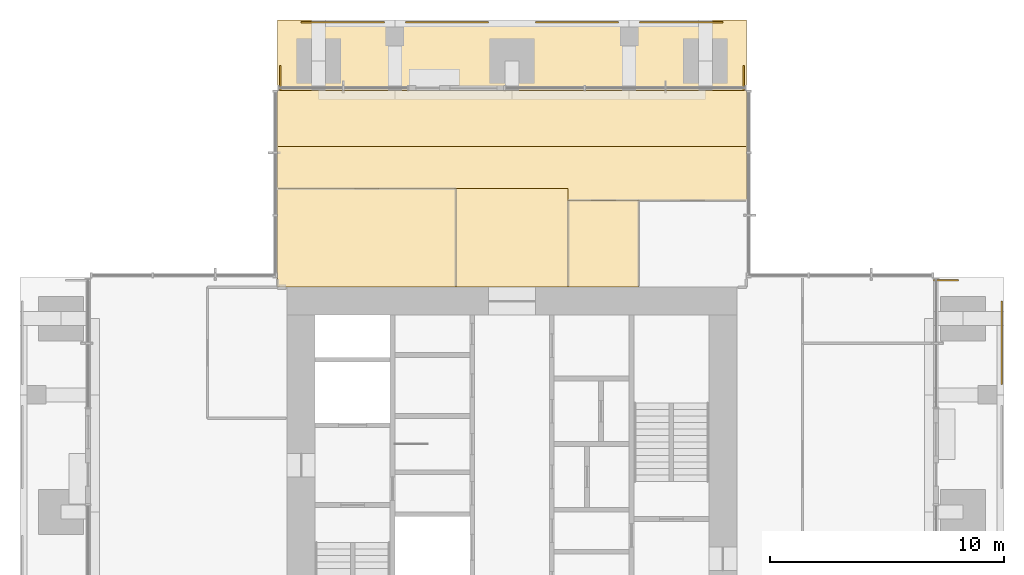
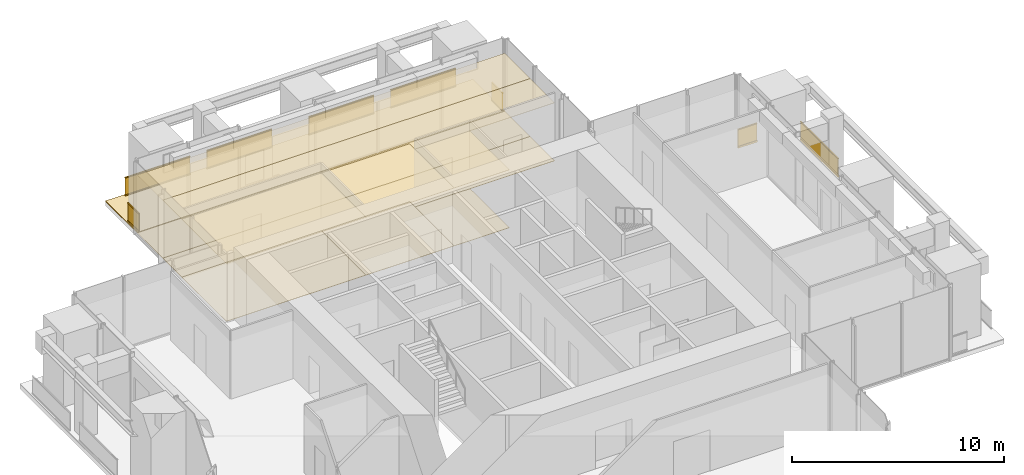
# One storey, part 11 of 12: 11 coverings, 8 railings.
"""IFC4 building model written with IfcOpenShell, lengths in metres."""

from ifc_helpers import new_model, si_unit, direction, frame, origin, origin_2d, place, context, subcontext, project, spatial, polyline, rectangle, outline, extrude, material, layer, layer_set, type_object, element, save


model = new_model("IFC4")

# Units and contexts
model_context = context("Model", 3, precision=1e-05, world=origin(), true_north=direction((0.0, 1.0)))
body_context = subcontext(model_context, "Body", "Model", "MODEL_VIEW")
ifc_project = project(units=[si_unit("LENGTHUNIT", "METRE"), si_unit("AREAUNIT", "SQUARE_METRE"), si_unit("VOLUMEUNIT", "CUBIC_METRE"), si_unit("PLANEANGLEUNIT", "RADIAN"), si_unit("MASSUNIT", "GRAM", prefix="KILO")], contexts=[model_context])

# Site, building, storey
site_placement = place(None, origin())
site = spatial("IfcSite", under=ifc_project, at=site_placement, CompositionType="ELEMENT")
building_placement = place(site_placement, origin())
building = spatial("IfcBuilding", under=site, at=building_placement, Name="Svetlomir Tower", CompositionType="ELEMENT")
storey_placement = place(building_placement, frame((0.0, 0.0, 265.0)))
storey = spatial("IfcBuildingStorey", under=building, at=storey_placement, Name="L63", CompositionType="ELEMENT", Elevation=265.0)

# Railings
ifc_material_1 = material(Name="Bronze anodised aluminium and laminated glass", Category="aluminium")
railing_type = type_object("IfcRailingType", Name="BALCONY GUARD GR1 1100", PredefinedType="GUARDRAIL", material=ifc_material_1)
railing_1_placement = place(storey_placement, frame((41.89990234375, 26.449951171875, 0.0)))
element("IfcRailing", 1, at=railing_1_placement, inside=storey, type_object=railing_type, Name="Loggia guard E L63 bay 4", PredefinedType="GUARDRAIL", context=body_context, shape_type="SweptSolid", body=[
    extrude(rectangle(XDim=0.06005859375, YDim=0.10009765625, at=origin_2d()), frame((0.0, 0.0, 0.050048828125), z_axis=(0.0, 1.0, 0.0), x_axis=(-1.0, 0.0, 0.0)), (0.0, 0.0, 1.0), 3.550048828125),
    extrude(rectangle(XDim=0.021484375, YDim=0.960205078125, at=origin_2d()), frame((0.0, 0.0, 0.580078125), z_axis=(0.0, 1.0, 0.0), x_axis=(-1.0, 0.0, 0.0)), (0.0, 0.0, 1.0), 3.550048828125),
    extrude(rectangle(XDim=0.06005859375, YDim=0.0400390625, at=origin_2d()), frame((0.0, 0.0, 1.080078125), z_axis=(0.0, 1.0, 0.0), x_axis=(-1.0, 0.0, 0.0)), (0.0, 0.0, 1.0), 3.550048828125),
])
railing_2_placement = place(storey_placement, frame((40.050048828125, 30.89990234375, 0.0)))
element("IfcRailing", 2, at=railing_2_placement, inside=storey, type_object=railing_type, Name="Loggia guard E L63 end 2", PredefinedType="GUARDRAIL", context=body_context, shape_type="SweptSolid", body=[
    extrude(rectangle(XDim=0.06005859375, YDim=0.10009765625, at=origin_2d()), frame((0.0, 0.0, 0.050048828125), z_axis=(-1.0, 0.0, 0.0), x_axis=(0.0, -1.0, 0.0)), (0.0, 0.0, 1.0), 1.050048828125),
    extrude(rectangle(XDim=0.021484375, YDim=0.960205078125, at=origin_2d()), frame((0.0, 0.0, 0.580078125), z_axis=(-1.0, 0.0, 0.0), x_axis=(0.0, -1.0, 0.0)), (0.0, 0.0, 1.0), 1.050048828125),
    extrude(rectangle(XDim=0.06005859375, YDim=0.0400390625, at=origin_2d()), frame((0.0, 0.0, 1.080078125), z_axis=(-1.0, 0.0, 0.0), x_axis=(0.0, -1.0, 0.0)), (0.0, 0.0, 1.0), 1.050048828125),
])
for number, where, name in (
    (3, (12.0, 41.89990234375, 0.0), "Loggia guard N L63 bay 1"),
    (4, (16.449951171875, 41.89990234375, 0.0), "Loggia guard N L63 bay 2"),
    (5, (22.0, 41.89990234375, 0.0), "Loggia guard N L63 bay 3"),
    (6, (26.449951171875, 41.89990234375, 0.0), "Loggia guard N L63 bay 4"),
):
    element("IfcRailing", number, at=place(storey_placement, frame(where)), inside=storey, type_object=railing_type, Name=name, PredefinedType="GUARDRAIL", context=body_context, shape_type="SweptSolid", body=[
        extrude(rectangle(XDim=0.06005859375, YDim=0.10009765625, at=origin_2d()), frame((0.0, 0.0, 0.050048828125), z_axis=(1.0, 0.0, 0.0), x_axis=(0.0, 1.0, 0.0)), (0.0, 0.0, 1.0), 3.550048828125),
        extrude(rectangle(XDim=0.021484375, YDim=0.960205078125, at=origin_2d()), frame((0.0, 0.0, 0.580078125), z_axis=(1.0, 0.0, 0.0), x_axis=(0.0, 1.0, 0.0)), (0.0, 0.0, 1.0), 3.550048828125),
        extrude(rectangle(XDim=0.06005859375, YDim=0.0400390625, at=origin_2d()), frame((0.0, 0.0, 1.080078125), z_axis=(1.0, 0.0, 0.0), x_axis=(0.0, 1.0, 0.0)), (0.0, 0.0, 1.0), 3.550048828125),
    ])
for number, where, name in (
    (7, (11.10009765625, 40.050048828125, 0.0), "Loggia guard N L63 end 1"),
    (8, (30.89990234375, 40.050048828125, 0.0), "Loggia guard N L63 end 2"),
):
    element("IfcRailing", number, at=place(storey_placement, frame(where)), inside=storey, type_object=railing_type, Name=name, PredefinedType="GUARDRAIL", context=body_context, shape_type="SweptSolid", body=[
        extrude(rectangle(XDim=0.06005859375, YDim=0.10009765625, at=origin_2d()), frame((0.0, 0.0, 0.050048828125), z_axis=(0.0, -1.0, 0.0), x_axis=(1.0, 0.0, 0.0)), (0.0, 0.0, 1.0), 1.050048828125),
        extrude(rectangle(XDim=0.021484375, YDim=0.960205078125, at=origin_2d()), frame((0.0, 0.0, 0.580078125), z_axis=(0.0, -1.0, 0.0), x_axis=(1.0, 0.0, 0.0)), (0.0, 0.0, 1.0), 1.050048828125),
        extrude(rectangle(XDim=0.06005859375, YDim=0.0400390625, at=origin_2d()), frame((0.0, 0.0, 1.080078125), z_axis=(0.0, -1.0, 0.0), x_axis=(1.0, 0.0, 0.0)), (0.0, 0.0, 1.0), 1.050048828125),
    ])

# Coverings
ifc_material_2 = material(Name="Granite paving slabs on pedestals", Category="masonry")
ifc_layer_1 = layer(ifc_material_2, 0.0400390625)
ifc_layer_set_1 = layer_set([ifc_layer_1], Name="Granite paving slabs on pedestals")
covering_type_1 = type_object("IfcCoveringType", Name="BALCONY PAVING 40", PredefinedType="USERDEFINED", material=ifc_layer_set_1)
covering_1_placement = place(storey_placement, origin())
element("IfcCovering", 9, at=covering_1_placement, inside=storey, type_object=covering_type_1, Name="Loggia paving N L63", ObjectType="BALCONY PAVING", PredefinedType="USERDEFINED", context=body_context, shape_type="SweptSolid", body=[
    extrude(outline(polyline([(11.0, 39.0), (31.0, 39.0), (31.0, 42.0), (11.0, 42.0), (11.0, 39.0)])), origin(), (0.0, 0.0, 1.0), 0.0400390625),
])
ifc_material_3 = material(Name="Engineered oak floor", Category="wood")
ifc_layer_2 = layer(ifc_material_3, 0.02001953125)
ifc_layer_set_2 = layer_set([ifc_layer_2], Name="Engineered oak floor")
covering_type_2 = type_object("IfcCoveringType", Name="OAK FLOOR 20", PredefinedType="FLOORING", material=ifc_layer_set_2)
covering_2_placement = place(storey_placement, origin())
element("IfcCovering", 10, at=covering_2_placement, inside=storey, type_object=covering_type_2, Name="Floor finish L63-23", PredefinedType="FLOORING", context=body_context, shape_type="SweptSolid", body=[
    extrude(outline(polyline([(11.0, 30.60009765625), (18.60009765625, 30.60009765625), (18.60009765625, 34.800048828125), (11.0, 34.800048828125), (11.0, 30.60009765625)])), origin(), (0.0, 0.0, 1.0), 0.02001953125),
])
covering_3_placement = place(storey_placement, origin())
element("IfcCovering", 11, at=covering_3_placement, inside=storey, type_object=covering_type_2, Name="Floor finish L63-24", PredefinedType="FLOORING", context=body_context, shape_type="SweptSolid", body=[
    extrude(outline(polyline([(23.39990234375, 30.60009765625), (26.39990234375, 30.60009765625), (26.39990234375, 34.300048828125), (23.39990234375, 34.300048828125), (23.39990234375, 30.60009765625)])), origin(), (0.0, 0.0, 1.0), 0.02001953125),
])
covering_4_placement = place(storey_placement, origin())
element("IfcCovering", 12, at=covering_4_placement, inside=storey, type_object=covering_type_2, Name="Floor finish L63-30", PredefinedType="FLOORING", context=body_context, shape_type="SweptSolid", body=[
    extrude(outline(polyline([(23.39990234375, 34.800048828125), (11.0, 34.800048828125), (11.0, 36.60009765625), (31.0, 36.60009765625), (31.0, 34.300048828125), (23.39990234375, 34.300048828125), (23.39990234375, 34.800048828125)])), origin(), (0.0, 0.0, 1.0), 0.02001953125),
])
covering_5_placement = place(storey_placement, origin())
element("IfcCovering", 13, at=covering_5_placement, inside=storey, type_object=covering_type_2, Name="Floor finish L63-32", PredefinedType="FLOORING", context=body_context, shape_type="SweptSolid", body=[
    extrude(outline(polyline([(18.60009765625, 30.60009765625), (18.60009765625, 34.800048828125), (23.39990234375, 34.800048828125), (23.39990234375, 30.60009765625), (18.60009765625, 30.60009765625)])), origin(), (0.0, 0.0, 1.0), 0.02001953125),
])
covering_6_placement = place(storey_placement, origin())
element("IfcCovering", 14, at=covering_6_placement, inside=storey, type_object=covering_type_2, Name="Floor finish L63-33", PredefinedType="FLOORING", context=body_context, shape_type="SweptSolid", body=[
    extrude(outline(polyline([(31.0, 39.0), (31.0, 36.60009765625), (11.0, 36.60009765625), (11.0, 39.0), (31.0, 39.0)])), origin(), (0.0, 0.0, 1.0), 0.02001953125),
])
ifc_material_4 = material(Name="Mineral fibre ceiling tile", Category="mineral")
ifc_layer_3 = layer(ifc_material_4, 0.02001953125)
ifc_layer_set_3 = layer_set([ifc_layer_3], Name="Mineral fibre ceiling tile")
covering_type_3 = type_object("IfcCoveringType", Name="SUSPENDED CEILING 20", PredefinedType="CEILING", material=ifc_layer_set_3)
covering_7_placement = place(storey_placement, frame((0.0, 0.0, 3.330078125)))
element("IfcCovering", 15, at=covering_7_placement, inside=storey, type_object=covering_type_3, Name="Ceiling L63-23", PredefinedType="CEILING", context=body_context, shape_type="SweptSolid", body=[
    extrude(outline(polyline([(11.0, 30.60009765625), (18.60009765625, 30.60009765625), (18.60009765625, 34.800048828125), (11.0, 34.800048828125), (11.0, 30.60009765625)])), origin(), (0.0, 0.0, 1.0), 0.02001953125),
])
covering_8_placement = place(storey_placement, frame((0.0, 0.0, 3.330078125)))
element("IfcCovering", 16, at=covering_8_placement, inside=storey, type_object=covering_type_3, Name="Ceiling L63-24", PredefinedType="CEILING", context=body_context, shape_type="SweptSolid", body=[
    extrude(outline(polyline([(23.39990234375, 30.60009765625), (26.39990234375, 30.60009765625), (26.39990234375, 34.300048828125), (23.39990234375, 34.300048828125), (23.39990234375, 30.60009765625)])), origin(), (0.0, 0.0, 1.0), 0.02001953125),
])
covering_9_placement = place(storey_placement, frame((0.0, 0.0, 3.330078125)))
element("IfcCovering", 17, at=covering_9_placement, inside=storey, type_object=covering_type_3, Name="Ceiling L63-30", PredefinedType="CEILING", context=body_context, shape_type="SweptSolid", body=[
    extrude(outline(polyline([(23.39990234375, 34.800048828125), (11.0, 34.800048828125), (11.0, 36.60009765625), (31.0, 36.60009765625), (31.0, 34.300048828125), (23.39990234375, 34.300048828125), (23.39990234375, 34.800048828125)])), origin(), (0.0, 0.0, 1.0), 0.02001953125),
])
covering_10_placement = place(storey_placement, frame((0.0, 0.0, 3.330078125)))
element("IfcCovering", 18, at=covering_10_placement, inside=storey, type_object=covering_type_3, Name="Ceiling L63-32", PredefinedType="CEILING", context=body_context, shape_type="SweptSolid", body=[
    extrude(outline(polyline([(18.60009765625, 30.60009765625), (18.60009765625, 34.800048828125), (23.39990234375, 34.800048828125), (23.39990234375, 30.60009765625), (18.60009765625, 30.60009765625)])), origin(), (0.0, 0.0, 1.0), 0.02001953125),
])
covering_11_placement = place(storey_placement, frame((0.0, 0.0, 3.330078125)))
element("IfcCovering", 19, at=covering_11_placement, inside=storey, type_object=covering_type_3, Name="Ceiling L63-33", PredefinedType="CEILING", context=body_context, shape_type="SweptSolid", body=[
    extrude(outline(polyline([(31.0, 39.0), (31.0, 36.60009765625), (11.0, 36.60009765625), (11.0, 39.0), (31.0, 39.0)])), origin(), (0.0, 0.0, 1.0), 0.02001953125),
])

save(model, "model.ifc")
